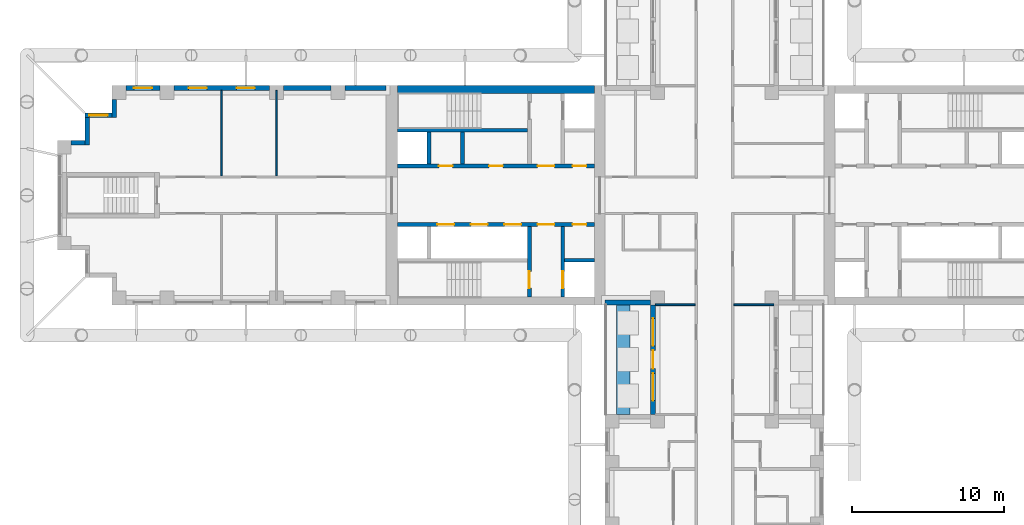
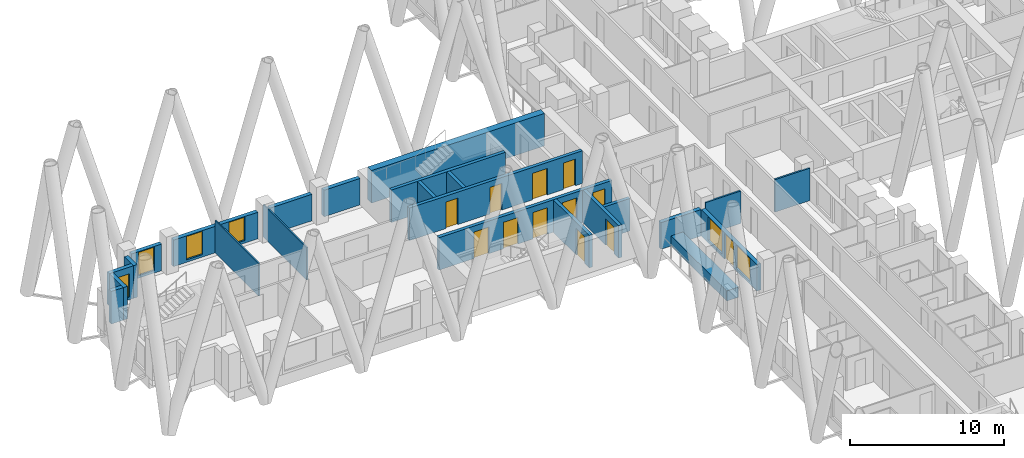
# One storey, part 7 of 17: 24 walls, 12 doors, 6 windows, 18 openings.
"""IFC4 building model written with IfcOpenShell, lengths in metres."""

from ifc_helpers import new_model, si_unit, direction, frame, frame_2d, origin, place, context, subcontext, project, spatial, rectangle, extrude, material, layer, layer_set, type_object, element, fill, save


model = new_model("IFC4")

# Units and contexts
model_context = context("Model", 3, precision=1e-05, world=origin(), true_north=direction((0.0, 1.0)))
body_context = subcontext(model_context, "Body", "Model", "MODEL_VIEW")
ifc_project = project(units=[si_unit("LENGTHUNIT", "METRE"), si_unit("AREAUNIT", "SQUARE_METRE"), si_unit("VOLUMEUNIT", "CUBIC_METRE"), si_unit("PLANEANGLEUNIT", "RADIAN"), si_unit("MASSUNIT", "GRAM", prefix="KILO")], contexts=[model_context])

# Site, building, storey
site_placement = place(None, origin())
site = spatial("IfcSite", under=ifc_project, at=site_placement, CompositionType="ELEMENT")
building_placement = place(site_placement, origin())
building = spatial("IfcBuilding", under=site, at=building_placement, Name="Fustian Cross Tower", CompositionType="ELEMENT")
storey_placement = place(building_placement, frame((0.0, 0.0, 32.699951171875)))
storey = spatial("IfcBuildingStorey", under=building, at=storey_placement, Name="L09", CompositionType="ELEMENT", Elevation=32.699951171875)

# Wall
ifc_material_1 = material(Name="Concrete C80/95", Category="concrete")
ifc_layer_1 = layer(ifc_material_1, 0.5)
ifc_layer_set_1 = layer_set([ifc_layer_1], Name="Concrete C80/95")
wall_type_1 = type_object("IfcWallType", Name="CORE FACADE WALL 500 C80/95", PredefinedType="SHEAR", material=ifc_layer_set_1)
wall_1_placement = place(storey_placement, frame((-7.89990234375, 6.949951171875, 0.0), z_axis=(0.0, 0.0, 1.0), x_axis=(-1.0, 0.0, 0.0)))
element("IfcWall", 1, at=wall_1_placement, inside=storey, type_object=wall_type_1, Name="Core facade wall", PredefinedType="SHEAR", context=body_context, shape_type="SweptSolid", body=[
    extrude(rectangle(XDim=12.9501953125, YDim=0.5, at=frame_2d((6.47509765625, 0.0))), origin(), (0.0, 0.0, 1.0), 2.574951171875),
])

# Wall, openings, doors
ifc_material_2 = material(Name="Concrete C50/60", Category="concrete")
ifc_layer_2 = layer(ifc_material_2, 0.25)
ifc_layer_set_2 = layer_set([ifc_layer_2], Name="Concrete C50/60")
wall_type_2 = type_object("IfcWallType", Name="CORE LOBBY WALL 250 C50/60", PredefinedType="SHEAR", material=ifc_layer_set_2)
wall_2_placement = place(storey_placement, frame((-7.89990234375, 1.925048828125, 0.0), z_axis=(0.0, 0.0, 1.0), x_axis=(-1.0, 0.0, 0.0)))
wall_2 = element("IfcWall", 2, at=wall_2_placement, inside=storey, type_object=wall_type_2, Name="Core lobby wall", PredefinedType="SHEAR", context=body_context, shape_type="SweptSolid", body=[
    extrude(rectangle(XDim=12.9501953125, YDim=0.25, at=frame_2d((6.47509765625, 0.0))), origin(), (0.0, 0.0, 1.0), 2.574951171875),
])
opening_1_placement = place(wall_2_placement, frame((0.52490234375, 0.0, 0.0)))
opening_1 = element("IfcOpeningElement", 3, at=opening_1_placement, cuts=wall_2, Name="Opening CD-06-23", PredefinedType="OPENING", context=body_context, shape_type="SweptSolid", body=[
    extrude(rectangle(XDim=0.89990234375, YDim=2.10009765625, at=frame_2d((0.449951171875, 1.050048828125))), frame((0.0, 0.135009765625, 0.0), z_axis=(0.0, -1.0, 0.0), x_axis=(1.0, 0.0, 0.0)), (0.0, 0.0, 1.0), 0.27001953125),
])
opening_2_placement = place(wall_2_placement, frame((2.625, 0.0, 0.0)))
opening_2 = element("IfcOpeningElement", 4, at=opening_2_placement, cuts=wall_2, Name="Opening CD-06-25", PredefinedType="OPENING", context=body_context, shape_type="SweptSolid", body=[
    extrude(rectangle(XDim=1.10009765625, YDim=2.10009765625, at=frame_2d((0.550048828125, 1.050048828125))), frame((0.0, 0.135009765625, 0.0), z_axis=(0.0, -1.0, 0.0), x_axis=(1.0, 0.0, 0.0)), (0.0, 0.0, 1.0), 0.27001953125),
])
opening_3_placement = place(wall_2_placement, frame((6.02490234375, 0.0, 0.0)))
opening_3 = element("IfcOpeningElement", 5, at=opening_3_placement, cuts=wall_2, Name="Opening CD-06-29", PredefinedType="OPENING", context=body_context, shape_type="SweptSolid", body=[
    extrude(rectangle(XDim=0.89990234375, YDim=2.10009765625, at=frame_2d((0.449951171875, 1.050048828125))), frame((0.0, 0.135009765625, 0.0), z_axis=(0.0, -1.0, 0.0), x_axis=(1.0, 0.0, 0.0)), (0.0, 0.0, 1.0), 0.27001953125),
])
opening_4_placement = place(wall_2_placement, frame((9.324951171875, 0.0, 0.0)))
opening_4 = element("IfcOpeningElement", 6, at=opening_4_placement, cuts=wall_2, Name="Opening CD-06-30", PredefinedType="OPENING", context=body_context, shape_type="SweptSolid", body=[
    extrude(rectangle(XDim=0.89990234375, YDim=2.10009765625, at=frame_2d((0.449951171875, 1.050048828125))), frame((0.0, 0.135009765625, 0.0), z_axis=(0.0, -1.0, 0.0), x_axis=(1.0, 0.0, 0.0)), (0.0, 0.0, 1.0), 0.27001953125),
])
ifc_material_3 = material(Name="Steel", Category="steel")
door_type_1 = type_object("IfcDoorType", Name="FIRE DOOR FD30S 900X2100", OperationType="SINGLE_SWING_LEFT", PredefinedType="DOOR", material=ifc_material_3)
door_1_placement = place(opening_3_placement, frame((0.89990234375, 0.0, 0.0), z_axis=(0.0, 0.0, 1.0), x_axis=(-1.0, 0.0, 0.0)))
door_1 = element("IfcDoor", 7, at=door_1_placement, inside=storey, type_object=door_type_1, Name="Core door CD-06-29", OperationType="SINGLE_SWING_LEFT", OverallHeight=2.10009765625, OverallWidth=0.89990234375, PredefinedType="DOOR", context=body_context, shape_type="SweptSolid", body=[
    extrude(rectangle(XDim=0.89990234375, YDim=2.10009765625, at=frame_2d((0.449951171875, 1.050048828125))), frame((0.0, 0.02490234375, 0.0), z_axis=(0.0, -1.0, 0.0), x_axis=(1.0, 0.0, 0.0)), (0.0, 0.0, 1.0), 0.050048828125),
])
fill(opening_3, door_1)
door_2_placement = place(opening_4_placement, frame((0.89990234375, 0.0, 0.0), z_axis=(0.0, 0.0, 1.0), x_axis=(-1.0, 0.0, 0.0)))
door_2 = element("IfcDoor", 8, at=door_2_placement, inside=storey, type_object=door_type_1, Name="Core door CD-06-30", OperationType="SINGLE_SWING_RIGHT", OverallHeight=2.10009765625, OverallWidth=0.89990234375, PredefinedType="DOOR", context=body_context, shape_type="SweptSolid", body=[
    extrude(rectangle(XDim=0.89990234375, YDim=2.10009765625, at=frame_2d((0.449951171875, 1.050048828125))), frame((0.0, 0.02490234375, 0.0), z_axis=(0.0, -1.0, 0.0), x_axis=(1.0, 0.0, 0.0)), (0.0, 0.0, 1.0), 0.050048828125),
])
fill(opening_4, door_2)
ifc_material_4 = material(Name="Steel", Category="steel")
door_type_2 = type_object("IfcDoorType", Name="FIRE DOOR FD60S 1100X2100", OperationType="SINGLE_SWING_LEFT", PredefinedType="DOOR", material=ifc_material_4)
door_3_placement = place(opening_2_placement, frame((1.10009765625, 0.0, 0.0), z_axis=(0.0, 0.0, 1.0), x_axis=(-1.0, 0.0, 0.0)))
door_3 = element("IfcDoor", 9, at=door_3_placement, inside=storey, type_object=door_type_2, Name="Core door CD-06-25", OperationType="SINGLE_SWING_RIGHT", OverallHeight=2.10009765625, OverallWidth=1.10009765625, PredefinedType="DOOR", context=body_context, shape_type="SweptSolid", body=[
    extrude(rectangle(XDim=1.10009765625, YDim=2.10009765625, at=frame_2d((0.550048828125, 1.050048828125))), frame((0.0, 0.02490234375, 0.0), z_axis=(0.0, -1.0, 0.0), x_axis=(1.0, 0.0, 0.0)), (0.0, 0.0, 1.0), 0.050048828125),
])
fill(opening_2, door_3)
ifc_material_5 = material(Name="Steel", Category="steel")
door_type_3 = type_object("IfcDoorType", Name="FIRE DOOR FD60S 900X2100", OperationType="SINGLE_SWING_LEFT", PredefinedType="DOOR", material=ifc_material_5)
door_4_placement = place(opening_1_placement, frame((0.89990234375, 0.0, 0.0), z_axis=(0.0, 0.0, 1.0), x_axis=(-1.0, 0.0, 0.0)))
door_4 = element("IfcDoor", 10, at=door_4_placement, inside=storey, type_object=door_type_3, Name="Core door CD-06-23", OperationType="SINGLE_SWING_RIGHT", OverallHeight=2.10009765625, OverallWidth=0.89990234375, PredefinedType="DOOR", context=body_context, shape_type="SweptSolid", body=[
    extrude(rectangle(XDim=0.89990234375, YDim=2.10009765625, at=frame_2d((0.449951171875, 1.050048828125))), frame((0.0, 0.02490234375, 0.0), z_axis=(0.0, -1.0, 0.0), x_axis=(1.0, 0.0, 0.0)), (0.0, 0.0, 1.0), 0.050048828125),
])
fill(opening_1, door_4)

wall_3_placement = place(storey_placement, frame((-7.89990234375, -1.925048828125, 0.0), z_axis=(0.0, 0.0, 1.0), x_axis=(-1.0, 0.0, 0.0)))
wall_3 = element("IfcWall", 11, at=wall_3_placement, inside=storey, type_object=wall_type_2, Name="Core lobby wall", PredefinedType="SHEAR", context=body_context, shape_type="SweptSolid", body=[
    extrude(rectangle(XDim=12.9501953125, YDim=0.25, at=frame_2d((6.47509765625, 0.0))), origin(), (0.0, 0.0, 1.0), 2.574951171875),
])
opening_5_placement = place(wall_3_placement, frame((4.824951171875, 0.0, 0.0)))
opening_5 = element("IfcOpeningElement", 12, at=opening_5_placement, cuts=wall_3, Name="Opening LD", PredefinedType="OPENING", context=body_context, shape_type="SweptSolid", body=[
    extrude(rectangle(XDim=1.10009765625, YDim=2.10009765625, at=frame_2d((0.550048828125, 1.050048828125))), frame((0.0, 0.135009765625, 0.0), z_axis=(0.0, -1.0, 0.0), x_axis=(1.0, 0.0, 0.0)), (0.0, 0.0, 1.0), 0.27001953125),
])
opening_6_placement = place(wall_3_placement, frame((7.02490234375, 0.0, 0.0)))
opening_6 = element("IfcOpeningElement", 13, at=opening_6_placement, cuts=wall_3, Name="Opening LD", PredefinedType="OPENING", context=body_context, shape_type="SweptSolid", body=[
    extrude(rectangle(XDim=1.10009765625, YDim=2.10009765625, at=frame_2d((0.550048828125, 1.050048828125))), frame((0.0, 0.135009765625, 0.0), z_axis=(0.0, -1.0, 0.0), x_axis=(1.0, 0.0, 0.0)), (0.0, 0.0, 1.0), 0.27001953125),
])
opening_7_placement = place(wall_3_placement, frame((9.22509765625, 0.0, 0.0)))
opening_7 = element("IfcOpeningElement", 14, at=opening_7_placement, cuts=wall_3, Name="Opening LD", PredefinedType="OPENING", context=body_context, shape_type="SweptSolid", body=[
    extrude(rectangle(XDim=1.10009765625, YDim=2.10009765625, at=frame_2d((0.550048828125, 1.050048828125))), frame((0.0, 0.135009765625, 0.0), z_axis=(0.0, -1.0, 0.0), x_axis=(1.0, 0.0, 0.0)), (0.0, 0.0, 1.0), 0.27001953125),
])
opening_8_placement = place(wall_3_placement, frame((0.52490234375, 0.0, 0.0)))
opening_8 = element("IfcOpeningElement", 15, at=opening_8_placement, cuts=wall_3, Name="Opening CD-06-24", PredefinedType="OPENING", context=body_context, shape_type="SweptSolid", body=[
    extrude(rectangle(XDim=0.89990234375, YDim=2.10009765625, at=frame_2d((0.449951171875, 1.050048828125))), frame((0.0, 0.135009765625, 0.0), z_axis=(0.0, -1.0, 0.0), x_axis=(1.0, 0.0, 0.0)), (0.0, 0.0, 1.0), 0.27001953125),
])
opening_9_placement = place(wall_3_placement, frame((2.625, 0.0, 0.0)))
opening_9 = element("IfcOpeningElement", 16, at=opening_9_placement, cuts=wall_3, Name="Opening CD-06-26", PredefinedType="OPENING", context=body_context, shape_type="SweptSolid", body=[
    extrude(rectangle(XDim=1.10009765625, YDim=2.10009765625, at=frame_2d((0.550048828125, 1.050048828125))), frame((0.0, 0.135009765625, 0.0), z_axis=(0.0, -1.0, 0.0), x_axis=(1.0, 0.0, 0.0)), (0.0, 0.0, 1.0), 0.27001953125),
])
ifc_material_6 = material(Name="Steel", Category="steel")
door_type_4 = type_object("IfcDoorType", Name="FIRE DOOR FD30S 1100X2100", OperationType="SINGLE_SWING_LEFT", PredefinedType="DOOR", material=ifc_material_6)
door_5_placement = place(opening_9_placement, frame((1.10009765625, 0.0, 0.0), z_axis=(0.0, 0.0, 1.0), x_axis=(-1.0, 0.0, 0.0)))
door_5 = element("IfcDoor", 17, at=door_5_placement, inside=storey, type_object=door_type_4, Name="Core door CD-06-26", OperationType="SINGLE_SWING_RIGHT", OverallHeight=2.10009765625, OverallWidth=1.10009765625, PredefinedType="DOOR", context=body_context, shape_type="SweptSolid", body=[
    extrude(rectangle(XDim=1.10009765625, YDim=2.10009765625, at=frame_2d((0.550048828125, 1.050048828125))), frame((0.0, 0.02490234375, 0.0), z_axis=(0.0, -1.0, 0.0), x_axis=(1.0, 0.0, 0.0)), (0.0, 0.0, 1.0), 0.050048828125),
])
fill(opening_9, door_5)
door_6_placement = place(opening_8_placement, origin())
door_6 = element("IfcDoor", 18, at=door_6_placement, inside=storey, type_object=door_type_1, Name="Core door CD-06-24", OperationType="SINGLE_SWING_LEFT", OverallHeight=2.10009765625, OverallWidth=0.89990234375, PredefinedType="DOOR", context=body_context, shape_type="SweptSolid", body=[
    extrude(rectangle(XDim=0.89990234375, YDim=2.10009765625, at=frame_2d((0.449951171875, 1.050048828125))), frame((0.0, 0.02490234375, 0.0), z_axis=(0.0, -1.0, 0.0), x_axis=(1.0, 0.0, 0.0)), (0.0, 0.0, 1.0), 0.050048828125),
])
fill(opening_8, door_6)
ifc_material_7 = material(Name="Stainless steel", Category="steel")
door_type_5 = type_object("IfcDoorType", Name="LIFT LANDING DOOR 1100X2100", OperationType="SLIDING_TO_LEFT", PredefinedType="DOOR", material=ifc_material_7)
door_7_placement = place(opening_5_placement, origin())
door_7 = element("IfcDoor", 19, at=door_7_placement, inside=storey, type_object=door_type_5, Name="Landing door LR1W", OperationType="SLIDING_TO_LEFT", OverallHeight=2.10009765625, OverallWidth=1.10009765625, PredefinedType="DOOR", context=body_context, shape_type="SweptSolid", body=[
    extrude(rectangle(XDim=1.10009765625, YDim=2.10009765625, at=frame_2d((0.550048828125, 1.050048828125))), frame((0.0, 0.02490234375, 0.0), z_axis=(0.0, -1.0, 0.0), x_axis=(1.0, 0.0, 0.0)), (0.0, 0.0, 1.0), 0.050048828125),
])
fill(opening_5, door_7)
door_8_placement = place(opening_6_placement, origin())
door_8 = element("IfcDoor", 20, at=door_8_placement, inside=storey, type_object=door_type_5, Name="Landing door LR2W", OperationType="SLIDING_TO_LEFT", OverallHeight=2.10009765625, OverallWidth=1.10009765625, PredefinedType="DOOR", context=body_context, shape_type="SweptSolid", body=[
    extrude(rectangle(XDim=1.10009765625, YDim=2.10009765625, at=frame_2d((0.550048828125, 1.050048828125))), frame((0.0, 0.02490234375, 0.0), z_axis=(0.0, -1.0, 0.0), x_axis=(1.0, 0.0, 0.0)), (0.0, 0.0, 1.0), 0.050048828125),
])
fill(opening_6, door_8)
door_9_placement = place(opening_7_placement, origin())
door_9 = element("IfcDoor", 21, at=door_9_placement, inside=storey, type_object=door_type_5, Name="Landing door LR3W", OperationType="SLIDING_TO_LEFT", OverallHeight=2.10009765625, OverallWidth=1.10009765625, PredefinedType="DOOR", context=body_context, shape_type="SweptSolid", body=[
    extrude(rectangle(XDim=1.10009765625, YDim=2.10009765625, at=frame_2d((0.550048828125, 1.050048828125))), frame((0.0, 0.02490234375, 0.0), z_axis=(0.0, -1.0, 0.0), x_axis=(1.0, 0.0, 0.0)), (0.0, 0.0, 1.0), 0.050048828125),
])
fill(opening_7, door_9)

# Walls
ifc_material_8 = material(Name="Concrete C50/60", Category="concrete")
ifc_layer_3 = layer(ifc_material_8, 0.25)
ifc_layer_set_3 = layer_set([ifc_layer_3], Name="Concrete C50/60")
wall_type_3 = type_object("IfcWallType", Name="CORE SHAFT WALL 250 C50/60", PredefinedType="SHEAR", material=ifc_layer_set_3)
wall_4_placement = place(storey_placement, frame((-12.300048828125, 4.27490234375, 0.0), z_axis=(0.0, 0.0, 1.0), x_axis=(-1.0, 0.0, 0.0)))
element("IfcWall", 22, at=wall_4_placement, inside=storey, type_object=wall_type_3, Name="Core shaft wall", PredefinedType="SHEAR", context=body_context, shape_type="SweptSolid", body=[
    extrude(rectangle(XDim=8.550048828125, YDim=0.25, at=frame_2d((4.27490234375, 0.0))), origin(), (0.0, 0.0, 1.0), 2.574951171875),
])
wall_5_placement = place(storey_placement, frame((-7.89990234375, -4.27490234375, 0.0), z_axis=(0.0, 0.0, 1.0), x_axis=(-1.0, 0.0, 0.0)))
element("IfcWall", 23, at=wall_5_placement, inside=storey, type_object=wall_type_3, Name="Core shaft wall", PredefinedType="SHEAR", context=body_context, shape_type="SweptSolid", body=[
    extrude(rectangle(XDim=1.9501953125, YDim=0.25, at=frame_2d((0.97509765625, 0.0))), origin(), (0.0, 0.0, 1.0), 2.574951171875),
])

# Wall, opening, door
wall_6_placement = place(storey_placement, frame((-9.97509765625, -2.050048828125, 0.0), z_axis=(0.0, 0.0, 1.0), x_axis=(0.0, -1.0, 0.0)))
wall_6 = element("IfcWall", 24, at=wall_6_placement, inside=storey, type_object=wall_type_3, Name="Core shaft wall", PredefinedType="SHEAR", context=body_context, shape_type="SweptSolid", body=[
    extrude(rectangle(XDim=4.64990234375, YDim=0.25, at=frame_2d((2.324951171875, 0.0))), origin(), (0.0, 0.0, 1.0), 2.574951171875),
])
opening_10_placement = place(wall_6_placement, frame((2.949951171875, 0.0, 0.0)))
opening_10 = element("IfcOpeningElement", 25, at=opening_10_placement, cuts=wall_6, Name="Opening LD", PredefinedType="OPENING", context=body_context, shape_type="SweptSolid", body=[
    extrude(rectangle(XDim=1.10009765625, YDim=2.10009765625, at=frame_2d((0.550048828125, 1.050048828125))), frame((0.0, 0.135009765625, 0.0), z_axis=(0.0, -1.0, 0.0), x_axis=(1.0, 0.0, 0.0)), (0.0, 0.0, 1.0), 0.27001953125),
])
door_10_placement = place(opening_10_placement, origin())
door_10 = element("IfcDoor", 26, at=door_10_placement, inside=storey, type_object=door_type_5, Name="Landing door SV1W", OperationType="SLIDING_TO_LEFT", OverallHeight=2.10009765625, OverallWidth=1.10009765625, PredefinedType="DOOR", context=body_context, shape_type="SweptSolid", body=[
    extrude(rectangle(XDim=1.10009765625, YDim=2.10009765625, at=frame_2d((0.550048828125, 1.050048828125))), frame((0.0, 0.02490234375, 0.0), z_axis=(0.0, -1.0, 0.0), x_axis=(1.0, 0.0, 0.0)), (0.0, 0.0, 1.0), 0.050048828125),
])
fill(opening_10, door_10)

wall_7_placement = place(storey_placement, frame((-12.175048828125, -2.050048828125, 0.0), z_axis=(0.0, 0.0, 1.0), x_axis=(0.0, -1.0, 0.0)))
wall_7 = element("IfcWall", 27, at=wall_7_placement, inside=storey, type_object=wall_type_3, Name="Core shaft wall", PredefinedType="SHEAR", context=body_context, shape_type="SweptSolid", body=[
    extrude(rectangle(XDim=4.64990234375, YDim=0.25, at=frame_2d((2.324951171875, 0.0))), origin(), (0.0, 0.0, 1.0), 2.574951171875),
])
opening_11_placement = place(wall_7_placement, frame((2.949951171875, 0.0, 0.0)))
opening_11 = element("IfcOpeningElement", 28, at=opening_11_placement, cuts=wall_7, Name="Opening CD-06-22", PredefinedType="OPENING", context=body_context, shape_type="SweptSolid", body=[
    extrude(rectangle(XDim=1.10009765625, YDim=2.10009765625, at=frame_2d((0.550048828125, 1.050048828125))), frame((0.0, 0.135009765625, 0.0), z_axis=(0.0, -1.0, 0.0), x_axis=(1.0, 0.0, 0.0)), (0.0, 0.0, 1.0), 0.27001953125),
])
door_11_placement = place(opening_11_placement, frame((1.10009765625, 0.0, 0.0), z_axis=(0.0, 0.0, 1.0), x_axis=(-1.0, 0.0, 0.0)))
door_11 = element("IfcDoor", 29, at=door_11_placement, inside=storey, type_object=door_type_2, Name="Core door CD-06-22", OperationType="SINGLE_SWING_RIGHT", OverallHeight=2.10009765625, OverallWidth=1.10009765625, PredefinedType="DOOR", context=body_context, shape_type="SweptSolid", body=[
    extrude(rectangle(XDim=1.10009765625, YDim=2.10009765625, at=frame_2d((0.550048828125, 1.050048828125))), frame((0.0, 0.02490234375, 0.0), z_axis=(0.0, -1.0, 0.0), x_axis=(1.0, 0.0, 0.0)), (0.0, 0.0, 1.0), 0.050048828125),
])
fill(opening_11, door_11)

# Walls
ifc_material_9 = material(Name="Plasterboard on steel stud", Category="steel")
ifc_layer_4 = layer(ifc_material_9, 0.10009765625)
ifc_layer_set_4 = layer_set([ifc_layer_4], Name="Plasterboard on steel stud")
wall_type_4 = type_object("IfcWallType", Name="PARTITION 100 STUD", PredefinedType="PARTITIONING", material=ifc_layer_set_4)
for number, where, z_axis, x_axis, name in (
    (30, (-32.39990234375, 1.27490234375, 0.0), (0.0, 0.0, 1.0), (0.0, 1.0, 0.0), "Partition 4"),
    (31, (-28.800048828125, 1.27490234375, 0.0), (0.0, 0.0, 1.0), (0.0, 1.0, 0.0), "Partition 6"),
):
    element("IfcWall", number, at=place(storey_placement, frame(where, z_axis=z_axis, x_axis=x_axis)), inside=storey, type_object=wall_type_4, Name=name, PredefinedType="PARTITIONING", context=body_context, shape_type="SweptSolid", body=[
        extrude(rectangle(XDim=5.625, YDim=0.10009765625, at=frame_2d((2.8125, 0.0))), origin(), (0.0, 0.0, 1.0), 2.574951171875),
    ])
ifc_material_10 = material(Name="Concrete C40/50", Category="concrete")
ifc_layer_5 = layer(ifc_material_10, 0.89990234375)
ifc_layer_set_5 = layer_set([ifc_layer_5], Name="Concrete C40/50")
wall_type_5 = type_object("IfcWallType", Name="PK1 PLANTER 900", PredefinedType="PARAPET", material=ifc_layer_set_5)
wall_8_placement = place(storey_placement, frame((-6.0, -14.39990234375, 0.0), z_axis=(0.0, 0.0, 1.0), x_axis=(0.0, 1.0, 0.0)))
element("IfcWall", 32, at=wall_8_placement, inside=storey, type_object=wall_type_5, Name="PLANTER", PredefinedType="PARAPET", context=body_context, shape_type="SweptSolid", body=[
    extrude(rectangle(XDim=7.199951171875, YDim=0.89990234375, at=frame_2d((3.60009765625, 0.0))), origin(), (0.0, 0.0, 1.0), 0.800048828125),
])
ifc_material_11 = material(Name="Concrete C40/50", Category="concrete")
ifc_layer_6 = layer(ifc_material_11, 0.25)
ifc_layer_set_6 = layer_set([ifc_layer_6], Name="Concrete C40/50")
wall_type_6 = type_object("IfcWallType", Name="SHAFT PARTITION WALL 250 C40/50", PredefinedType="PARTITIONING", material=ifc_layer_set_6)
for number, where, z_axis, x_axis, name in (
    (33, (-16.574951171875, 2.050048828125, 0.0), (0.0, 0.0, 1.0), (0.0, 1.0, 0.0), "Core shaft wall"),
    (34, (-18.77490234375, 2.050048828125, 0.0), (0.0, 0.0, 1.0), (0.0, 1.0, 0.0), "Core shaft wall"),
):
    element("IfcWall", number, at=place(storey_placement, frame(where, z_axis=z_axis, x_axis=x_axis)), inside=storey, type_object=wall_type_6, Name=name, PredefinedType="PARTITIONING", context=body_context, shape_type="SweptSolid", body=[
        extrude(rectangle(XDim=2.099853515625, YDim=0.25, at=frame_2d((1.0498046875, 0.0))), origin(), (0.0, 0.0, 1.0), 2.574951171875),
    ])
ifc_material_12 = material(Name="Plasterboard on steel stud", Category="steel")
ifc_layer_7 = layer(ifc_material_12, 0.125)
ifc_layer_set_7 = layer_set([ifc_layer_7], Name="Plasterboard on steel stud")
wall_type_7 = type_object("IfcWallType", Name="WET WALL 125 STUD", PredefinedType="PARTITIONING", material=ifc_layer_set_7)
for number, where, z_axis, x_axis, name in (
    (35, (-3.89990234375, -7.199951171875, 0.0), (0.0, 0.0, 1.0), (1.0, 0.0, 0.0), "Partition 36"),
    (36, (1.27490234375, -7.199951171875, 0.0), (0.0, 0.0, 1.0), (1.0, 0.0, 0.0), "Partition 52"),
):
    element("IfcWall", number, at=place(storey_placement, frame(where, z_axis=z_axis, x_axis=x_axis)), inside=storey, type_object=wall_type_7, Name=name, PredefinedType="PARTITIONING", context=body_context, shape_type="SweptSolid", body=[
        extrude(rectangle(XDim=2.625, YDim=0.125, at=frame_2d((1.3125, 0.0))), origin(), (0.0, 0.0, 1.0), 2.574951171875),
    ])
ifc_material_13 = material(Name="Dark aluminium cladding on insulated backing wall", Category="aluminium")
ifc_layer_8 = layer(ifc_material_13, 0.300048828125)
ifc_layer_set_8 = layer_set([ifc_layer_8], Name="Dark aluminium cladding on insulated backing wall")
wall_type_8 = type_object("IfcWallType", Name="XW1 EXTERNAL WALL 300", PredefinedType="SOLIDWALL", material=ifc_layer_set_8)
wall_9_placement = place(storey_placement, frame((-21.60009765625, 7.050048828125, 0.0), z_axis=(0.0, 0.0, 1.0), x_axis=(-1.0, 0.0, 0.0)))
element("IfcWall", 37, at=wall_9_placement, inside=storey, type_object=wall_type_8, Name="External wall", PredefinedType="SOLIDWALL", context=body_context, shape_type="SweptSolid", body=[
    extrude(rectangle(XDim=2.699951171875, YDim=0.300048828125, at=frame_2d((1.35009765625, 0.0))), origin(), (0.0, 0.0, 1.0), 2.10009765625),
])
wall_10_placement = place(storey_placement, frame((-25.199951171875, 7.050048828125, 0.0), z_axis=(0.0, 0.0, 1.0), x_axis=(-1.0, 0.0, 0.0)))
element("IfcWall", 38, at=wall_10_placement, inside=storey, type_object=wall_type_8, Name="External wall", PredefinedType="SOLIDWALL", context=body_context, shape_type="SweptSolid", body=[
    extrude(rectangle(XDim=3.150146484375, YDim=0.300048828125, at=frame_2d((1.5751953125, 0.0))), origin(), (0.0, 0.0, 1.0), 2.10009765625),
])

# Wall, openings, windows
wall_11_placement = place(storey_placement, frame((-29.25, 7.050048828125, 0.0), z_axis=(0.0, 0.0, 1.0), x_axis=(-1.0, 0.0, 0.0)))
wall_11 = element("IfcWall", 39, at=wall_11_placement, inside=storey, type_object=wall_type_8, Name="External wall", PredefinedType="SOLIDWALL", context=body_context, shape_type="SweptSolid", body=[
    extrude(rectangle(XDim=6.300048828125, YDim=0.300048828125, at=frame_2d((3.14990234375, 0.0))), origin(), (0.0, 0.0, 1.0), 2.10009765625),
])
opening_12_placement = place(wall_11_placement, frame((0.97509765625, 0.0, 0.199951171875)))
opening_12 = element("IfcOpeningElement", 40, at=opening_12_placement, cuts=wall_11, Name="Opening WN3", PredefinedType="OPENING", context=body_context, shape_type="SweptSolid", body=[
    extrude(rectangle(XDim=1.199951171875, YDim=1.85009765625, at=frame_2d((0.60009765625, 0.925048828125))), frame((0.0, 0.159912109375, 0.0), z_axis=(0.0, -1.0, 0.0), x_axis=(1.0, 0.0, 0.0)), (0.0, 0.0, 1.0), 0.320068359375),
])
opening_13_placement = place(wall_11_placement, frame((4.125, 0.0, 0.199951171875)))
opening_13 = element("IfcOpeningElement", 41, at=opening_13_placement, cuts=wall_11, Name="Opening WN3", PredefinedType="OPENING", context=body_context, shape_type="SweptSolid", body=[
    extrude(rectangle(XDim=1.199951171875, YDim=1.85009765625, at=frame_2d((0.60009765625, 0.925048828125))), frame((0.0, 0.159912109375, 0.0), z_axis=(0.0, -1.0, 0.0), x_axis=(1.0, 0.0, 0.0)), (0.0, 0.0, 1.0), 0.320068359375),
])
ifc_material_14 = material(Name="Dark anodised aluminium and double glazing", Category="aluminium")
window_type_1 = type_object("IfcWindowType", Name="WN3 WINDOW 1200X1850", PartitioningType="SINGLE_PANEL", PredefinedType="WINDOW", material=ifc_material_14)
window_1_placement = place(opening_12_placement, origin())
window_1 = element("IfcWindow", 42, at=window_1_placement, inside=storey, type_object=window_type_1, Name="Window", OverallHeight=1.85009765625, OverallWidth=1.199951171875, PartitioningType="SINGLE_PANEL", PredefinedType="WINDOW", context=body_context, shape_type="SweptSolid", body=[
    extrude(rectangle(XDim=1.199951171875, YDim=1.85009765625, at=frame_2d((0.60009765625, 0.925048828125))), frame((0.0, 0.030029296875, 0.0), z_axis=(0.0, -1.0, 0.0), x_axis=(1.0, 0.0, 0.0)), (0.0, 0.0, 1.0), 0.06005859375),
])
fill(opening_12, window_1)
window_2_placement = place(opening_13_placement, origin())
window_2 = element("IfcWindow", 43, at=window_2_placement, inside=storey, type_object=window_type_1, Name="Window", OverallHeight=1.85009765625, OverallWidth=1.199951171875, PartitioningType="SINGLE_PANEL", PredefinedType="WINDOW", context=body_context, shape_type="SweptSolid", body=[
    extrude(rectangle(XDim=1.199951171875, YDim=1.85009765625, at=frame_2d((0.60009765625, 0.925048828125))), frame((0.0, 0.030029296875, 0.0), z_axis=(0.0, -1.0, 0.0), x_axis=(1.0, 0.0, 0.0)), (0.0, 0.0, 1.0), 0.06005859375),
])
fill(opening_13, window_2)

# Wall, opening, window
wall_12_placement = place(storey_placement, frame((-36.449951171875, 7.050048828125, 0.0), z_axis=(0.0, 0.0, 1.0), x_axis=(-1.0, 0.0, 0.0)))
wall_12 = element("IfcWall", 44, at=wall_12_placement, inside=storey, type_object=wall_type_8, Name="External wall", PredefinedType="SOLIDWALL", context=body_context, shape_type="SweptSolid", body=[
    extrude(rectangle(XDim=2.25, YDim=0.300048828125, at=frame_2d((1.125, 0.0))), origin(), (0.0, 0.0, 1.0), 2.10009765625),
])
opening_14_placement = place(wall_12_placement, frame((0.52490234375, 0.0, 0.199951171875)))
opening_14 = element("IfcOpeningElement", 45, at=opening_14_placement, cuts=wall_12, Name="Opening WN3", PredefinedType="OPENING", context=body_context, shape_type="SweptSolid", body=[
    extrude(rectangle(XDim=1.199951171875, YDim=1.85009765625, at=frame_2d((0.60009765625, 0.925048828125))), frame((0.0, 0.159912109375, 0.0), z_axis=(0.0, -1.0, 0.0), x_axis=(1.0, 0.0, 0.0)), (0.0, 0.0, 1.0), 0.320068359375),
])
window_3_placement = place(opening_14_placement, origin())
window_3 = element("IfcWindow", 46, at=window_3_placement, inside=storey, type_object=window_type_1, Name="Window", OverallHeight=1.85009765625, OverallWidth=1.199951171875, PartitioningType="SINGLE_PANEL", PredefinedType="WINDOW", context=body_context, shape_type="SweptSolid", body=[
    extrude(rectangle(XDim=1.199951171875, YDim=1.85009765625, at=frame_2d((0.60009765625, 0.925048828125))), frame((0.0, 0.030029296875, 0.0), z_axis=(0.0, -1.0, 0.0), x_axis=(1.0, 0.0, 0.0)), (0.0, 0.0, 1.0), 0.06005859375),
])
fill(opening_14, window_3)

# Wall
wall_13_placement = place(storey_placement, frame((-39.449951171875, 6.300048828125, 0.0), z_axis=(0.0, 0.0, 1.0), x_axis=(0.0, -1.0, 0.0)))
element("IfcWall", 47, at=wall_13_placement, inside=storey, type_object=wall_type_8, Name="External wall", PredefinedType="SOLIDWALL", context=body_context, shape_type="SweptSolid", body=[
    extrude(rectangle(XDim=1.199951171875, YDim=0.300048828125, at=frame_2d((0.60009765625, 0.0))), origin(), (0.0, 0.0, 1.0), 2.574951171875),
])

# Wall, opening, window
wall_14_placement = place(storey_placement, frame((-39.60009765625, 5.25, 0.0), z_axis=(0.0, 0.0, 1.0), x_axis=(-1.0, 0.0, 0.0)))
wall_14 = element("IfcWall", 48, at=wall_14_placement, inside=storey, type_object=wall_type_8, Name="External wall", PredefinedType="SOLIDWALL", context=body_context, shape_type="SweptSolid", body=[
    extrude(rectangle(XDim=1.7998046875, YDim=0.300048828125, at=frame_2d((0.89990234375, 0.0))), origin(), (0.0, 0.0, 1.0), 2.574951171875),
])
opening_15_placement = place(wall_14_placement, frame((0.300048828125, 0.0, 0.199951171875)))
opening_15 = element("IfcOpeningElement", 49, at=opening_15_placement, cuts=wall_14, Name="Opening WN3", PredefinedType="OPENING", context=body_context, shape_type="SweptSolid", body=[
    extrude(rectangle(XDim=1.199951171875, YDim=1.85009765625, at=frame_2d((0.60009765625, 0.925048828125))), frame((0.0, 0.159912109375, 0.0), z_axis=(0.0, -1.0, 0.0), x_axis=(1.0, 0.0, 0.0)), (0.0, 0.0, 1.0), 0.320068359375),
])
window_4_placement = place(opening_15_placement, origin())
window_4 = element("IfcWindow", 50, at=window_4_placement, inside=storey, type_object=window_type_1, Name="Window", OverallHeight=1.85009765625, OverallWidth=1.199951171875, PartitioningType="SINGLE_PANEL", PredefinedType="WINDOW", context=body_context, shape_type="SweptSolid", body=[
    extrude(rectangle(XDim=1.199951171875, YDim=1.85009765625, at=frame_2d((0.60009765625, 0.925048828125))), frame((0.0, 0.030029296875, 0.0), z_axis=(0.0, -1.0, 0.0), x_axis=(1.0, 0.0, 0.0)), (0.0, 0.0, 1.0), 0.06005859375),
])
fill(opening_15, window_4)

# Walls
wall_15_placement = place(storey_placement, frame((-41.25, 5.10009765625, 0.0), z_axis=(0.0, 0.0, 1.0), x_axis=(0.0, -1.0, 0.0)))
element("IfcWall", 51, at=wall_15_placement, inside=storey, type_object=wall_type_8, Name="External wall", PredefinedType="SOLIDWALL", context=body_context, shape_type="SweptSolid", body=[
    extrude(rectangle(XDim=1.800048828125, YDim=0.300048828125, at=frame_2d((0.89990234375, 0.0))), origin(), (0.0, 0.0, 1.0), 2.574951171875),
])
wall_16_placement = place(storey_placement, frame((-41.39990234375, 3.449951171875, 0.0), z_axis=(0.0, 0.0, 1.0), x_axis=(-1.0, 0.0, 0.0)))
element("IfcWall", 52, at=wall_16_placement, inside=storey, type_object=wall_type_8, Name="External wall", PredefinedType="SOLIDWALL", context=body_context, shape_type="SweptSolid", body=[
    extrude(rectangle(XDim=0.900146484375, YDim=0.300048828125, at=frame_2d((0.4501953125, 0.0))), origin(), (0.0, 0.0, 1.0), 2.574951171875),
])
wall_17_placement = place(storey_placement, frame((-7.199951171875, -7.050048828125, 0.0), z_axis=(0.0, 0.0, 1.0), x_axis=(1.0, 0.0, 0.0)))
element("IfcWall", 53, at=wall_17_placement, inside=storey, type_object=wall_type_8, Name="External wall", PredefinedType="SOLIDWALL", context=body_context, shape_type="SweptSolid", body=[
    extrude(rectangle(XDim=3.0, YDim=0.300048828125, at=frame_2d((1.5, 0.0))), origin(), (0.0, 0.0, 1.0), 2.10009765625),
])

# Wall, openings, door, windows
wall_18_placement = place(storey_placement, frame((-4.050048828125, -7.199951171875, 0.0), z_axis=(0.0, 0.0, 1.0), x_axis=(0.0, -1.0, 0.0)))
wall_18 = element("IfcWall", 54, at=wall_18_placement, inside=storey, type_object=wall_type_8, Name="External wall", PredefinedType="SOLIDWALL", context=body_context, shape_type="SweptSolid", body=[
    extrude(rectangle(XDim=7.199951171875, YDim=0.300048828125, at=frame_2d((3.60009765625, 0.0))), origin(), (0.0, 0.0, 1.0), 2.10009765625),
])
opening_16_placement = place(wall_18_placement, frame((3.0, 0.0, 0.0)))
opening_16 = element("IfcOpeningElement", 55, at=opening_16_placement, cuts=wall_18, Name="Opening XD4", PredefinedType="OPENING", context=body_context, shape_type="SweptSolid", body=[
    extrude(rectangle(XDim=1.199951171875, YDim=2.050048828125, at=frame_2d((0.60009765625, 1.02490234375))), frame((0.0, 0.159912109375, 0.0), z_axis=(0.0, -1.0, 0.0), x_axis=(1.0, 0.0, 0.0)), (0.0, 0.0, 1.0), 0.320068359375),
])
opening_17_placement = place(wall_18_placement, frame((0.89990234375, 0.0, 0.199951171875)))
opening_17 = element("IfcOpeningElement", 56, at=opening_17_placement, cuts=wall_18, Name="Opening WN2", PredefinedType="OPENING", context=body_context, shape_type="SweptSolid", body=[
    extrude(rectangle(XDim=1.800048828125, YDim=1.85009765625, at=frame_2d((0.89990234375, 0.925048828125))), frame((0.0, 0.159912109375, 0.0), z_axis=(0.0, -1.0, 0.0), x_axis=(1.0, 0.0, 0.0)), (0.0, 0.0, 1.0), 0.320068359375),
])
opening_18_placement = place(wall_18_placement, frame((4.5, 0.0, 0.199951171875)))
opening_18 = element("IfcOpeningElement", 57, at=opening_18_placement, cuts=wall_18, Name="Opening WN2", PredefinedType="OPENING", context=body_context, shape_type="SweptSolid", body=[
    extrude(rectangle(XDim=1.800048828125, YDim=1.85009765625, at=frame_2d((0.89990234375, 0.925048828125))), frame((0.0, 0.159912109375, 0.0), z_axis=(0.0, -1.0, 0.0), x_axis=(1.0, 0.0, 0.0)), (0.0, 0.0, 1.0), 0.320068359375),
])
ifc_material_15 = material(Name="Dark anodised aluminium and double glazing", Category="aluminium")
door_type_6 = type_object("IfcDoorType", Name="ED1 BALCONY DOOR 1200X2050", OperationType="SINGLE_SWING_LEFT", PredefinedType="DOOR", material=ifc_material_15)
door_12_placement = place(opening_16_placement, origin())
door_12 = element("IfcDoor", 58, at=door_12_placement, inside=storey, type_object=door_type_6, Name="Balcony door", OperationType="SINGLE_SWING_LEFT", OverallHeight=2.050048828125, OverallWidth=1.199951171875, PredefinedType="DOOR", context=body_context, shape_type="SweptSolid", body=[
    extrude(rectangle(XDim=1.199951171875, YDim=2.050048828125, at=frame_2d((0.60009765625, 1.02490234375))), frame((0.0, 0.02490234375, 0.0), z_axis=(0.0, -1.0, 0.0), x_axis=(1.0, 0.0, 0.0)), (0.0, 0.0, 1.0), 0.050048828125),
])
fill(opening_16, door_12)
ifc_material_16 = material(Name="Dark anodised aluminium and double glazing", Category="aluminium")
window_type_2 = type_object("IfcWindowType", Name="WN2 WINDOW 1800X1850", PartitioningType="SINGLE_PANEL", PredefinedType="WINDOW", material=ifc_material_16)
window_5_placement = place(opening_17_placement, origin())
window_5 = element("IfcWindow", 59, at=window_5_placement, inside=storey, type_object=window_type_2, Name="Window", OverallHeight=1.85009765625, OverallWidth=1.800048828125, PartitioningType="SINGLE_PANEL", PredefinedType="WINDOW", context=body_context, shape_type="SweptSolid", body=[
    extrude(rectangle(XDim=1.800048828125, YDim=1.85009765625, at=frame_2d((0.89990234375, 0.925048828125))), frame((0.0, 0.030029296875, 0.0), z_axis=(0.0, -1.0, 0.0), x_axis=(1.0, 0.0, 0.0)), (0.0, 0.0, 1.0), 0.06005859375),
])
fill(opening_17, window_5)
window_6_placement = place(opening_18_placement, origin())
window_6 = element("IfcWindow", 60, at=window_6_placement, inside=storey, type_object=window_type_2, Name="Window", OverallHeight=1.85009765625, OverallWidth=1.800048828125, PartitioningType="SINGLE_PANEL", PredefinedType="WINDOW", context=body_context, shape_type="SweptSolid", body=[
    extrude(rectangle(XDim=1.800048828125, YDim=1.85009765625, at=frame_2d((0.89990234375, 0.925048828125))), frame((0.0, 0.030029296875, 0.0), z_axis=(0.0, -1.0, 0.0), x_axis=(1.0, 0.0, 0.0)), (0.0, 0.0, 1.0), 0.06005859375),
])
fill(opening_18, window_6)

save(model, "model.ifc")
